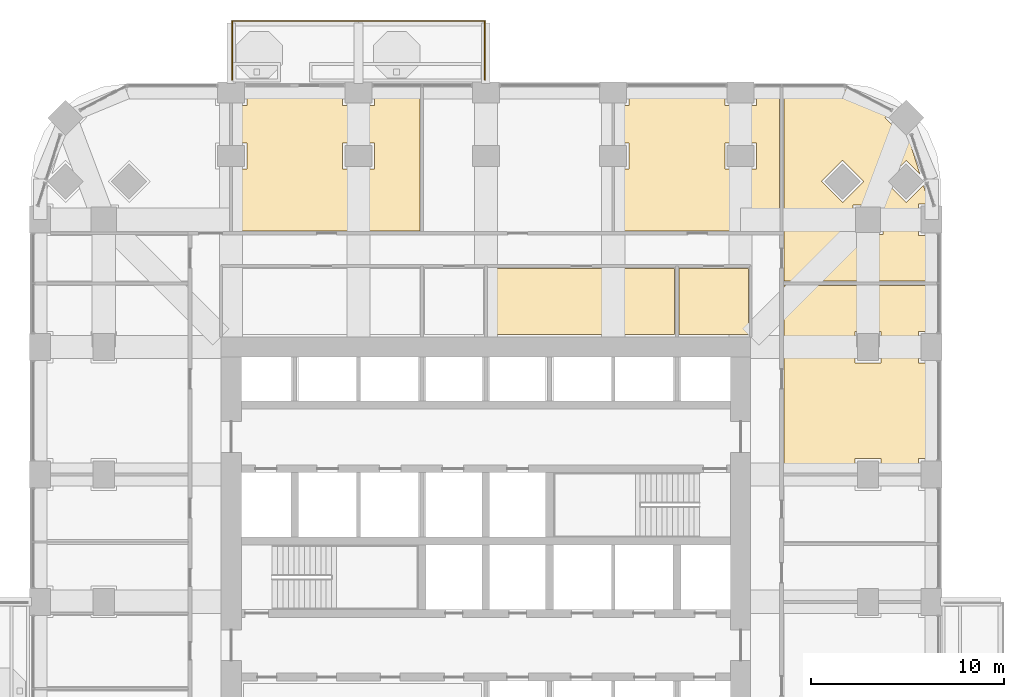
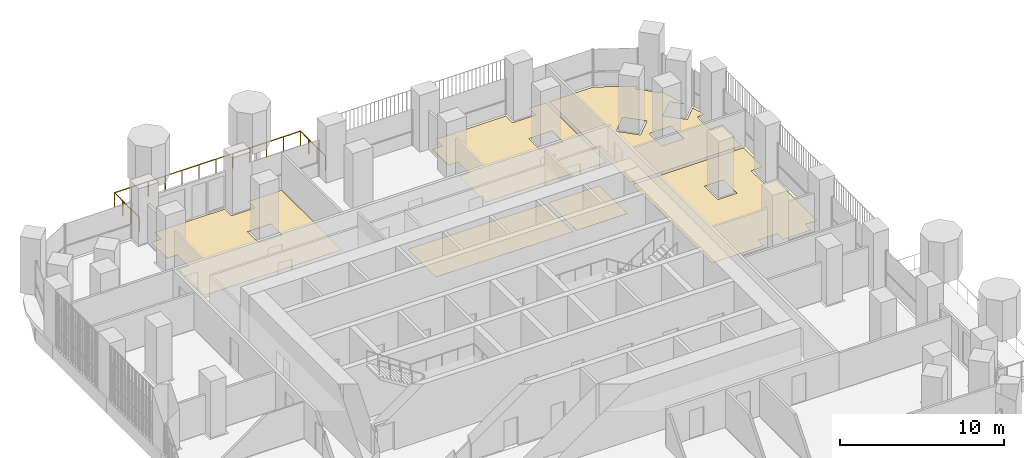
# One storey, part 20 of 21: 6 coverings, 1 railing.
"""IFC4 building model written with IfcOpenShell, lengths in metres."""

import ifcopenshell
import ifcopenshell.guid

model = None  # the IFC model being written
_history = None  # IfcOwnerHistory: only IFC2X3 demands one
_inside = {}  # id of a spatial element -> (the spatial element, [elements in it])
_under = {}  # id of a project, library or spatial element -> (it, [spatial elements below it])
_declared = {}  # id of a project -> (the project, [libraries it declares])
_typed = {}  # id of a type object -> (the type object, [elements of that type])
_made_of = {}  # id of a material, layer set ... -> (it, [elements and type objects made of it])


def new_model(schema):
    """Start an empty IFC model of exactly this schema.

    Asked for "IFC4X3", IfcOpenShell would pick the latest addendum, in which some entities
    have other attributes; the version numbers below select the first issue.
    IFC2X3 requires an IfcOwnerHistory on every rooted entity: one is made here for all.
    """
    global model, _history
    if schema == "IFC4X3":
        model = ifcopenshell.file(schema_version=(4, 3, 0, 0))
    else:
        model = ifcopenshell.file(schema=schema)
    _inside.clear()
    _under.clear()
    _declared.clear()
    _typed.clear()
    _made_of.clear()
    _history = None
    if model.schema == "IFC2X3":
        org = make("IfcOrganization", Name="unknown")
        user = make(
            "IfcPersonAndOrganization",
            ThePerson=make("IfcPerson", FamilyName="unknown"),
            TheOrganization=org,
        )
        app = make(
            "IfcApplication",
            ApplicationDeveloper=org,
            Version="unknown",
            ApplicationFullName="unknown",
            ApplicationIdentifier="unknown",
        )
        _history = make(
            "IfcOwnerHistory",
            OwningUser=user,
            OwningApplication=app,
            ChangeAction="ADDED",
            CreationDate=0,
        )
    return model


def make(cls, **values):
    """One entity of the class cls with the attributes given. An attribute that is None is left unset."""
    return model.create_entity(
        cls, **{name: value for name, value in values.items() if value is not None}
    )


def rooted(cls, **values):
    """An entity with a GlobalId (a new one), such as an element, a storey or a relation."""
    return make(cls, GlobalId=ifcopenshell.guid.new(), OwnerHistory=_history, **values)


def si_unit(unit_type, name, prefix=None):
    """IfcSIUnit, for example si_unit("LENGTHUNIT", "METRE", prefix="MILLI")."""
    return make("IfcSIUnit", UnitType=unit_type, Prefix=prefix, Name=name)


def assignment(units):
    """IfcUnitAssignment: the units of a project."""
    return None if units is None else make("IfcUnitAssignment", Units=units)


def point(xyz):
    """IfcCartesianPoint."""
    return None if xyz is None else make("IfcCartesianPoint", Coordinates=xyz)


def direction(xyz):
    """IfcDirection."""
    return None if xyz is None else make("IfcDirection", DirectionRatios=xyz)


def frame(location, z_axis=None, x_axis=None):
    """IfcAxis2Placement3D, a coordinate frame: its origin and axes. An axis left out is left unset."""
    return make(
        "IfcAxis2Placement3D",
        Location=point(location),
        Axis=direction(z_axis),
        RefDirection=direction(x_axis),
    )


def origin():
    """The frame at (0, 0, 0) with its axes left unset."""
    return frame((0.0, 0.0, 0.0))


def place(relative_to, where):
    """IfcLocalPlacement: puts the frame where relative to a parent placement (None: the world)."""
    return make(
        "IfcLocalPlacement", PlacementRelTo=relative_to, RelativePlacement=where
    )


def context(
    kind, dimensions, precision=None, world=None, true_north=None, identifier=None
):
    """IfcGeometricRepresentationContext, for example the 3D "Model" context."""
    return make(
        "IfcGeometricRepresentationContext",
        ContextIdentifier=identifier,
        ContextType=kind,
        CoordinateSpaceDimension=dimensions,
        Precision=precision,
        WorldCoordinateSystem=world,
        TrueNorth=true_north,
    )


def subcontext(parent, identifier, kind, view, scale=None):
    """IfcGeometricRepresentationSubContext, for example "Body" below "Model"."""
    return make(
        "IfcGeometricRepresentationSubContext",
        ContextIdentifier=identifier,
        ContextType=kind,
        ParentContext=parent,
        TargetScale=scale,
        TargetView=view,
    )


def project(units=None, contexts=None):
    """IfcProject with its units and contexts."""
    return rooted(
        "IfcProject",
        Name="project",
        RepresentationContexts=contexts,
        UnitsInContext=assignment(units),
    )


def spatial(cls, under=None, at=None, **own):
    """A site, building, storey or space (cls), placed at a placement, below another one or the project."""
    s = rooted(cls, ObjectPlacement=at, **own)
    if under is not None:
        _under.setdefault(under.id(), (under, []))[1].append(s)
    return s


def polyline(points):
    """IfcPolyline through the points."""
    return make("IfcPolyline", Points=[point(p) for p in points])


def outline(outer, holes=None, kind="AREA"):
    """IfcArbitraryClosedProfileDef: a profile drawn as a closed curve; with holes, ...WithVoids."""
    if holes is None:
        return make("IfcArbitraryClosedProfileDef", ProfileType=kind, OuterCurve=outer)
    return make(
        "IfcArbitraryProfileDefWithVoids",
        ProfileType=kind,
        OuterCurve=outer,
        InnerCurves=holes,
    )


def extrude(swept, where, along, depth):
    """IfcExtrudedAreaSolid: the profile swept, set in the frame where, extruded along a direction by depth."""
    return make(
        "IfcExtrudedAreaSolid",
        SweptArea=swept,
        Position=where,
        ExtrudedDirection=direction(along),
        Depth=depth,
    )


def shape(context_of_items, identifier, shape_type, items):
    """IfcShapeRepresentation: the items that make up one representation, for example the "Body"."""
    return make(
        "IfcShapeRepresentation",
        ContextOfItems=context_of_items,
        RepresentationIdentifier=identifier,
        RepresentationType=shape_type,
        Items=items,
    )


def material(Name=None, Category=None):
    """IfcMaterial."""
    return make("IfcMaterial", Name=Name, Category=Category)


def layer(
    of_material, thickness, ventilated=None, Name=None, Category=None, Priority=None
):
    """IfcMaterialLayer: one layer of a wall or slab, of a material (None: an air gap)."""
    return make(
        "IfcMaterialLayer",
        Material=of_material,
        LayerThickness=thickness,
        IsVentilated=ventilated,
        Name=Name,
        Category=Category,
        Priority=Priority,
    )


def layer_set(layers, Name=None):
    """IfcMaterialLayerSet."""
    return make("IfcMaterialLayerSet", MaterialLayers=layers, LayerSetName=Name)


def made_of(thing, what):
    """Note that an element or type object is made of a material, layer set ...; save() writes the relation."""
    if what is not None:
        _made_of.setdefault(what.id(), (what, []))[1].append(thing)
    return thing


def type_object(cls, material=None, **own):
    """A type object (cls), such as IfcWallType, which elements share."""
    return made_of(rooted(cls, **own), material)


def element(
    cls,
    number,
    at=None,
    inside=None,
    cuts=None,
    type_object=None,
    material=None,
    context=None,
    identifier="Body",
    shape_type=None,
    held_by="IfcProductDefinitionShape",
    body=None,
    shapes=None,
    **own,
):
    """One element of the class cls, such as IfcWall. Its Tag is "e" and its number.

    at: its placement. inside: the storey or other place that contains it. cuts: it is an
    opening in that element (IfcRelVoidsElement). A single representation is given by context,
    identifier, shape_type and body (its items); several are given by shapes. held_by: the class
    of the entity that holds the representations. save() writes the other relations.
    """
    e = rooted(cls, Tag="e%d" % number, ObjectPlacement=at, **own)
    if body is not None:
        shapes = [shape(context, identifier, shape_type, body)]
    if shapes is not None:
        e.Representation = make(held_by, Representations=shapes)
    if inside is not None:
        _inside.setdefault(inside.id(), (inside, []))[1].append(e)
    if cuts is not None:
        rooted(
            "IfcRelVoidsElement", RelatingBuildingElement=cuts, RelatedOpeningElement=e
        )
    if type_object is not None:
        _typed.setdefault(type_object.id(), (type_object, []))[1].append(e)
    return made_of(e, material)


def aggregate(whole, parts):
    """IfcRelAggregates: a whole, such as a stair, and the parts it consists of."""
    return rooted("IfcRelAggregates", RelatingObject=whole, RelatedObjects=parts)


def save(model, path):
    """Write the relations noted so far, then the file.

    IfcRelAggregates (storeys below a building ...), IfcRelContainedInSpatialStructure (elements
    in a storey), IfcRelDefinesByType, IfcRelAssociatesMaterial and IfcRelDeclares: one each for
    every whole, place, type object, material and project.
    """
    for whole, parts in _under.values():
        aggregate(whole, parts)
    for where, things in _inside.values():
        rooted(
            "IfcRelContainedInSpatialStructure",
            RelatedElements=things,
            RelatingStructure=where,
        )
    for kind, things in _typed.values():
        rooted("IfcRelDefinesByType", RelatedObjects=things, RelatingType=kind)
    for what, things in _made_of.values():
        rooted("IfcRelAssociatesMaterial", RelatedObjects=things, RelatingMaterial=what)
    for by, libraries in _declared.values():
        rooted("IfcRelDeclares", RelatingContext=by, RelatedDefinitions=libraries)
    model.write(path)


model = new_model("IFC4")

# Units and contexts
model_context = context("Model", 3, precision=1e-05, world=origin(), true_north=direction((0.0, 1.0)))
body_context = subcontext(model_context, "Body", "Model", "MODEL_VIEW")
ifc_project = project(units=[si_unit("LENGTHUNIT", "METRE"), si_unit("AREAUNIT", "SQUARE_METRE"), si_unit("VOLUMEUNIT", "CUBIC_METRE"), si_unit("PLANEANGLEUNIT", "RADIAN"), si_unit("MASSUNIT", "GRAM", prefix="KILO")], contexts=[model_context])

# Site, building, storey
site_placement = place(None, origin())
site = spatial("IfcSite", under=ifc_project, at=site_placement, CompositionType="ELEMENT")
building_placement = place(site_placement, origin())
building = spatial("IfcBuilding", under=site, at=building_placement, Name="Cobogo Forest Laboratory Tower", CompositionType="ELEMENT")
storey_placement = place(building_placement, frame((0.0, 0.0, 115.800048828125)))
storey = spatial("IfcBuildingStorey", under=building, at=storey_placement, Name="L26", CompositionType="ELEMENT", Elevation=115.800048828125)

# Railing
ifc_material_1 = material(Name="Laminated glass balustrade", Category="glass")
railing_type = type_object("IfcRailingType", Name="BG1 glass balustrade 1100", PredefinedType="GUARDRAIL", material=ifc_material_1)
railing_placement = place(storey_placement, frame((13.25, 46.85009765625, 0.0)))
element("IfcRailing", 1, at=railing_placement, inside=storey, type_object=railing_type, Name="Balcony balustrade BAL-N1 L26", PredefinedType="GUARDRAIL", context=body_context, shape_type="SweptSolid", body=[
    extrude(outline(polyline([(0.022216796875, 0.00927734375), (0.00927734375, 0.022216796875), (-0.00927734375, 0.022216796875), (-0.022216796875, 0.00927734375), (-0.022216796875, -0.00927734375), (-0.00927734375, -0.022216796875), (0.00927734375, -0.022216796875), (0.022216796875, -0.00927734375), (0.022216796875, 0.00927734375)])), frame((0.0, 0.0, 1.077880859375), z_axis=(0.0, 1.0, 0.0), x_axis=(-1.0, 0.0, 0.0)), (0.0, 0.0, 1.0), 3.0498046875),
    extrude(outline(polyline([(0.022216796875, 0.00927734375), (0.00927734375, 0.022216796875), (-0.00927734375, 0.022216796875), (-0.022216796875, 0.00927734375), (-0.022216796875, -0.00927734375), (-0.00927734375, -0.022216796875), (0.00927734375, -0.022216796875), (0.022216796875, -0.00927734375), (0.022216796875, 0.00927734375)])), frame((0.0, 3.0498046875, 1.077880859375), z_axis=(1.0, 0.0, 0.0), x_axis=(0.0, 1.0, 0.0)), (0.0, 0.0, 1.0), 13.10009765625),
    extrude(outline(polyline([(0.022216796875, 0.00927734375), (0.00927734375, 0.022216796875), (-0.00927734375, 0.022216796875), (-0.022216796875, 0.00927734375), (-0.022216796875, -0.00927734375), (-0.00927734375, -0.022216796875), (0.00927734375, -0.022216796875), (0.022216796875, -0.00927734375), (0.022216796875, 0.00927734375)])), frame((13.10009765625, 3.0498046875, 1.077880859375), z_axis=(0.0, -1.0, 0.0), x_axis=(1.0, 0.0, 0.0)), (0.0, 0.0, 1.0), 3.0498046875),
    extrude(outline(polyline([(0.019287109375, 0.008056640625), (0.008056640625, 0.019287109375), (-0.008056640625, 0.019287109375), (-0.019287109375, 0.008056640625), (-0.019287109375, -0.008056640625), (-0.008056640625, -0.019287109375), (0.008056640625, -0.019287109375), (0.019287109375, -0.008056640625), (0.019287109375, 0.008056640625)])), origin(), (0.0, 0.0, 1.0), 1.077880859375),
    extrude(outline(polyline([(0.019287109375, 0.008056640625), (0.008056640625, 0.019287109375), (-0.008056640625, 0.019287109375), (-0.019287109375, 0.008056640625), (-0.019287109375, -0.008056640625), (-0.008056640625, -0.019287109375), (0.008056640625, -0.019287109375), (0.019287109375, -0.008056640625), (0.019287109375, 0.008056640625)])), frame((0.0, 1.0166015625, 0.0)), (0.0, 0.0, 1.0), 1.077880859375),
    extrude(outline(polyline([(0.019287109375, 0.008056640625), (0.008056640625, 0.019287109375), (-0.008056640625, 0.019287109375), (-0.019287109375, 0.008056640625), (-0.019287109375, -0.008056640625), (-0.008056640625, -0.019287109375), (0.008056640625, -0.019287109375), (0.019287109375, -0.008056640625), (0.019287109375, 0.008056640625)])), frame((0.0, 2.033203125, 0.0)), (0.0, 0.0, 1.0), 1.077880859375),
    extrude(outline(polyline([(0.019287109375, 0.008056640625), (0.008056640625, 0.019287109375), (-0.008056640625, 0.019287109375), (-0.019287109375, 0.008056640625), (-0.019287109375, -0.008056640625), (-0.008056640625, -0.019287109375), (0.008056640625, -0.019287109375), (0.019287109375, -0.008056640625), (0.019287109375, 0.008056640625)])), frame((0.0, 3.0498046875, 0.0)), (0.0, 0.0, 1.0), 1.077880859375),
    extrude(outline(polyline([(0.019287109375, 0.008056640625), (0.008056640625, 0.019287109375), (-0.008056640625, 0.019287109375), (-0.019287109375, 0.008056640625), (-0.019287109375, -0.008056640625), (-0.008056640625, -0.019287109375), (0.008056640625, -0.019287109375), (0.019287109375, -0.008056640625), (0.019287109375, 0.008056640625)])), frame((1.19091796875, 3.0498046875, 0.0)), (0.0, 0.0, 1.0), 1.077880859375),
    extrude(outline(polyline([(0.019287109375, 0.008056640625), (0.008056640625, 0.019287109375), (-0.008056640625, 0.019287109375), (-0.019287109375, 0.008056640625), (-0.019287109375, -0.008056640625), (-0.008056640625, -0.019287109375), (0.008056640625, -0.019287109375), (0.019287109375, -0.008056640625), (0.019287109375, 0.008056640625)])), frame((2.3818359375, 3.0498046875, 0.0)), (0.0, 0.0, 1.0), 1.077880859375),
    extrude(outline(polyline([(0.019287109375, 0.008056640625), (0.008056640625, 0.019287109375), (-0.008056640625, 0.019287109375), (-0.019287109375, 0.008056640625), (-0.019287109375, -0.008056640625), (-0.008056640625, -0.019287109375), (0.008056640625, -0.019287109375), (0.019287109375, -0.008056640625), (0.019287109375, 0.008056640625)])), frame((3.57275390625, 3.0498046875, 0.0)), (0.0, 0.0, 1.0), 1.077880859375),
    extrude(outline(polyline([(0.019287109375, 0.008056640625), (0.008056640625, 0.019287109375), (-0.008056640625, 0.019287109375), (-0.019287109375, 0.008056640625), (-0.019287109375, -0.008056640625), (-0.008056640625, -0.019287109375), (0.008056640625, -0.019287109375), (0.019287109375, -0.008056640625), (0.019287109375, 0.008056640625)])), frame((4.763671875, 3.0498046875, 0.0)), (0.0, 0.0, 1.0), 1.077880859375),
    extrude(outline(polyline([(0.019287109375, 0.008056640625), (0.008056640625, 0.019287109375), (-0.008056640625, 0.019287109375), (-0.019287109375, 0.008056640625), (-0.019287109375, -0.008056640625), (-0.008056640625, -0.019287109375), (0.008056640625, -0.019287109375), (0.019287109375, -0.008056640625), (0.019287109375, 0.008056640625)])), frame((5.95458984375, 3.0498046875, 0.0)), (0.0, 0.0, 1.0), 1.077880859375),
    extrude(outline(polyline([(0.019287109375, 0.008056640625), (0.008056640625, 0.019287109375), (-0.008056640625, 0.019287109375), (-0.019287109375, 0.008056640625), (-0.019287109375, -0.008056640625), (-0.008056640625, -0.019287109375), (0.008056640625, -0.019287109375), (0.019287109375, -0.008056640625), (0.019287109375, 0.008056640625)])), frame((7.1455078125, 3.0498046875, 0.0)), (0.0, 0.0, 1.0), 1.077880859375),
    extrude(outline(polyline([(0.019287109375, 0.008056640625), (0.008056640625, 0.019287109375), (-0.008056640625, 0.019287109375), (-0.019287109375, 0.008056640625), (-0.019287109375, -0.008056640625), (-0.008056640625, -0.019287109375), (0.008056640625, -0.019287109375), (0.019287109375, -0.008056640625), (0.019287109375, 0.008056640625)])), frame((8.33642578125, 3.0498046875, 0.0)), (0.0, 0.0, 1.0), 1.077880859375),
    extrude(outline(polyline([(0.019287109375, 0.008056640625), (0.008056640625, 0.019287109375), (-0.008056640625, 0.019287109375), (-0.019287109375, 0.008056640625), (-0.019287109375, -0.008056640625), (-0.008056640625, -0.019287109375), (0.008056640625, -0.019287109375), (0.019287109375, -0.008056640625), (0.019287109375, 0.008056640625)])), frame((9.52734375, 3.0498046875, 0.0)), (0.0, 0.0, 1.0), 1.077880859375),
    extrude(outline(polyline([(0.019287109375, 0.008056640625), (0.008056640625, 0.019287109375), (-0.008056640625, 0.019287109375), (-0.019287109375, 0.008056640625), (-0.019287109375, -0.008056640625), (-0.008056640625, -0.019287109375), (0.008056640625, -0.019287109375), (0.019287109375, -0.008056640625), (0.019287109375, 0.008056640625)])), frame((10.71826171875, 3.0498046875, 0.0)), (0.0, 0.0, 1.0), 1.077880859375),
    extrude(outline(polyline([(0.019287109375, 0.008056640625), (0.008056640625, 0.019287109375), (-0.008056640625, 0.019287109375), (-0.019287109375, 0.008056640625), (-0.019287109375, -0.008056640625), (-0.008056640625, -0.019287109375), (0.008056640625, -0.019287109375), (0.019287109375, -0.008056640625), (0.019287109375, 0.008056640625)])), frame((11.9091796875, 3.0498046875, 0.0)), (0.0, 0.0, 1.0), 1.077880859375),
    extrude(outline(polyline([(0.019287109375, 0.008056640625), (0.008056640625, 0.019287109375), (-0.008056640625, 0.019287109375), (-0.019287109375, 0.008056640625), (-0.019287109375, -0.008056640625), (-0.008056640625, -0.019287109375), (0.008056640625, -0.019287109375), (0.019287109375, -0.008056640625), (0.019287109375, 0.008056640625)])), frame((13.10009765625, 3.0498046875, 0.0)), (0.0, 0.0, 1.0), 1.077880859375),
    extrude(outline(polyline([(0.019287109375, 0.008056640625), (0.008056640625, 0.019287109375), (-0.008056640625, 0.019287109375), (-0.019287109375, 0.008056640625), (-0.019287109375, -0.008056640625), (-0.008056640625, -0.019287109375), (0.008056640625, -0.019287109375), (0.019287109375, -0.008056640625), (0.019287109375, 0.008056640625)])), frame((13.10009765625, 2.033203125, 0.0)), (0.0, 0.0, 1.0), 1.077880859375),
    extrude(outline(polyline([(0.019287109375, 0.008056640625), (0.008056640625, 0.019287109375), (-0.008056640625, 0.019287109375), (-0.019287109375, 0.008056640625), (-0.019287109375, -0.008056640625), (-0.008056640625, -0.019287109375), (0.008056640625, -0.019287109375), (0.019287109375, -0.008056640625), (0.019287109375, 0.008056640625)])), frame((13.10009765625, 1.0166015625, 0.0)), (0.0, 0.0, 1.0), 1.077880859375),
    extrude(outline(polyline([(0.019287109375, 0.008056640625), (0.008056640625, 0.019287109375), (-0.008056640625, 0.019287109375), (-0.019287109375, 0.008056640625), (-0.019287109375, -0.008056640625), (-0.008056640625, -0.019287109375), (0.008056640625, -0.019287109375), (0.019287109375, -0.008056640625), (0.019287109375, 0.008056640625)])), frame((13.10009765625, 0.0, 0.0)), (0.0, 0.0, 1.0), 1.077880859375),
])

# Coverings
ifc_material_2 = material(Name="Carpet tile on raised access floor", Category="flooring")
ifc_layer_1 = layer(ifc_material_2, 0.008056640625)
ifc_layer_set_1 = layer_set([ifc_layer_1], Name="CT1 carpet tile floor 8")
covering_type_1 = type_object("IfcCoveringType", Name="CT1 carpet tile floor 8", PredefinedType="FLOORING", material=ifc_layer_set_1)
covering_1_placement = place(storey_placement, origin())
element("IfcCovering", 2, at=covering_1_placement, inside=storey, type_object=covering_type_1, Name="Carpet floor L26-17", PredefinedType="FLOORING", context=body_context, shape_type="SweptSolid", body=[
    extrude(outline(polyline([(41.844970703125, 36.179931640625), (49.64990234375, 36.179931640625), (49.64990234375, 33.820068359375), (48.830078125, 33.820068359375), (48.830078125, 32.179931640625), (49.64990234375, 32.179931640625), (49.64990234375, 27.219970703125), (48.830078125, 27.219970703125), (48.830078125, 26.52001953125), (46.8701171875, 26.52001953125), (46.8701171875, 27.219970703125), (45.530029296875, 27.219970703125), (45.530029296875, 26.52001953125), (41.844970703125, 26.52001953125), (41.844970703125, 36.179931640625)]), holes=[polyline([(46.8701171875, 32.179931640625), (46.8701171875, 33.820068359375), (45.530029296875, 33.820068359375), (45.530029296875, 32.179931640625), (46.8701171875, 32.179931640625)])]), origin(), (0.0, 0.0, 1.0), 0.008056640625),
])
covering_2_placement = place(storey_placement, origin())
element("IfcCovering", 3, at=covering_2_placement, inside=storey, type_object=covering_type_1, Name="Carpet floor L26-18", PredefinedType="FLOORING", context=body_context, shape_type="SweptSolid", body=[
    extrude(outline(polyline([(41.844970703125, 46.35009765625), (44.95068359375, 46.35009765625), (47.3193359375, 45.1083984375), (47.093017578125, 44.882080078125), (48.181884765625, 43.79296875), (48.283935546875, 43.89501953125), (48.89599609375, 41.95703125), (48.181884765625, 42.6708984375), (47.093017578125, 41.58203125), (48.181884765625, 40.492919921875), (49.075927734375, 41.386962890625), (49.38134765625, 40.419921875), (48.830078125, 40.419921875), (48.830078125, 38.780029296875), (49.64990234375, 38.780029296875), (49.64990234375, 36.419921875), (41.844970703125, 36.419921875), (41.844970703125, 46.35009765625)]), holes=[polyline([(45.429931640625, 40.3701171875), (45.429931640625, 38.830078125), (46.969970703125, 38.830078125), (46.969970703125, 40.3701171875), (45.429931640625, 40.3701171875)]), polyline([(43.79296875, 41.58203125), (44.882080078125, 40.492919921875), (45.970947265625, 41.58203125), (44.882080078125, 42.6708984375), (43.79296875, 41.58203125)])]), origin(), (0.0, 0.0, 1.0), 0.008056640625),
])
covering_3_placement = place(storey_placement, origin())
element("IfcCovering", 4, at=covering_3_placement, inside=storey, type_object=covering_type_1, Name="Carpet floor L26-20", PredefinedType="FLOORING", context=body_context, shape_type="SweptSolid", body=[
    extrude(outline(polyline([(13.320068359375, 39.02001953125), (13.320068359375, 42.22998046875), (14.02001953125, 42.22998046875), (14.02001953125, 43.570068359375), (13.320068359375, 43.570068359375), (13.320068359375, 45.530029296875), (14.02001953125, 45.530029296875), (14.02001953125, 46.35009765625), (18.97998046875, 46.35009765625), (18.97998046875, 45.530029296875), (20.6201171875, 45.530029296875), (20.6201171875, 46.35009765625), (22.97998046875, 46.35009765625), (22.97998046875, 39.02001953125), (13.320068359375, 39.02001953125)]), holes=[polyline([(18.97998046875, 42.22998046875), (20.6201171875, 42.22998046875), (20.6201171875, 43.570068359375), (18.97998046875, 43.570068359375), (18.97998046875, 42.22998046875)])]), origin(), (0.0, 0.0, 1.0), 0.008056640625),
])
covering_4_placement = place(storey_placement, origin())
element("IfcCovering", 5, at=covering_4_placement, inside=storey, type_object=covering_type_1, Name="Carpet floor L26-22", PredefinedType="FLOORING", context=body_context, shape_type="SweptSolid", body=[
    extrude(outline(polyline([(33.1201171875, 39.02001953125), (33.1201171875, 42.22998046875), (33.820068359375, 42.22998046875), (33.820068359375, 43.570068359375), (33.1201171875, 43.570068359375), (33.1201171875, 45.530029296875), (33.820068359375, 45.530029296875), (33.820068359375, 46.35009765625), (38.780029296875, 46.35009765625), (38.780029296875, 45.530029296875), (40.419921875, 45.530029296875), (40.419921875, 46.35009765625), (41.60498046875, 46.35009765625), (41.60498046875, 39.02001953125), (33.1201171875, 39.02001953125)]), holes=[polyline([(38.780029296875, 43.570068359375), (38.780029296875, 42.22998046875), (40.419921875, 42.22998046875), (40.419921875, 43.570068359375), (38.780029296875, 43.570068359375)])]), origin(), (0.0, 0.0, 1.0), 0.008056640625),
])
ifc_material_3 = material(Name="Epoxy resin flooring", Category="flooring")
ifc_layer_2 = layer(ifc_material_3, 0.00390625)
ifc_layer_set_2 = layer_set([ifc_layer_2], Name="LF1 epoxy laboratory floor 4")
covering_type_2 = type_object("IfcCoveringType", Name="LF1 epoxy laboratory floor 4", PredefinedType="FLOORING", material=ifc_layer_set_2)
covering_5_placement = place(storey_placement, origin())
element("IfcCovering", 6, at=covering_5_placement, inside=storey, type_object=covering_type_2, Name="Epoxy laboratory floor L26-03", PredefinedType="FLOORING", context=body_context, shape_type="SweptSolid", body=[
    extrude(outline(polyline([(36.179931640625, 33.64501953125), (26.52001953125, 33.64501953125), (26.52001953125, 37.080078125), (36.179931640625, 37.080078125), (36.179931640625, 33.64501953125)])), origin(), (0.0, 0.0, 1.0), 0.00390625),
])
ifc_material_4 = material(Name="Ceramic floor tile", Category="flooring")
ifc_layer_3 = layer(ifc_material_4, 0.010009765625)
ifc_layer_set_3 = layer_set([ifc_layer_3], Name="TF1 ceramic tile floor 10")
covering_type_3 = type_object("IfcCoveringType", Name="TF1 ceramic tile floor 10", PredefinedType="FLOORING", material=ifc_layer_set_3)
covering_6_placement = place(storey_placement, origin())
element("IfcCovering", 7, at=covering_6_placement, inside=storey, type_object=covering_type_3, Name="Tile floor L26-04", PredefinedType="FLOORING", context=body_context, shape_type="SweptSolid", body=[
    extrude(outline(polyline([(40.0048828125, 33.64501953125), (36.419921875, 33.64501953125), (36.419921875, 37.080078125), (40.0048828125, 37.080078125), (40.0048828125, 33.64501953125)])), origin(), (0.0, 0.0, 1.0), 0.010009765625),
])

save(model, "model.ifc")
